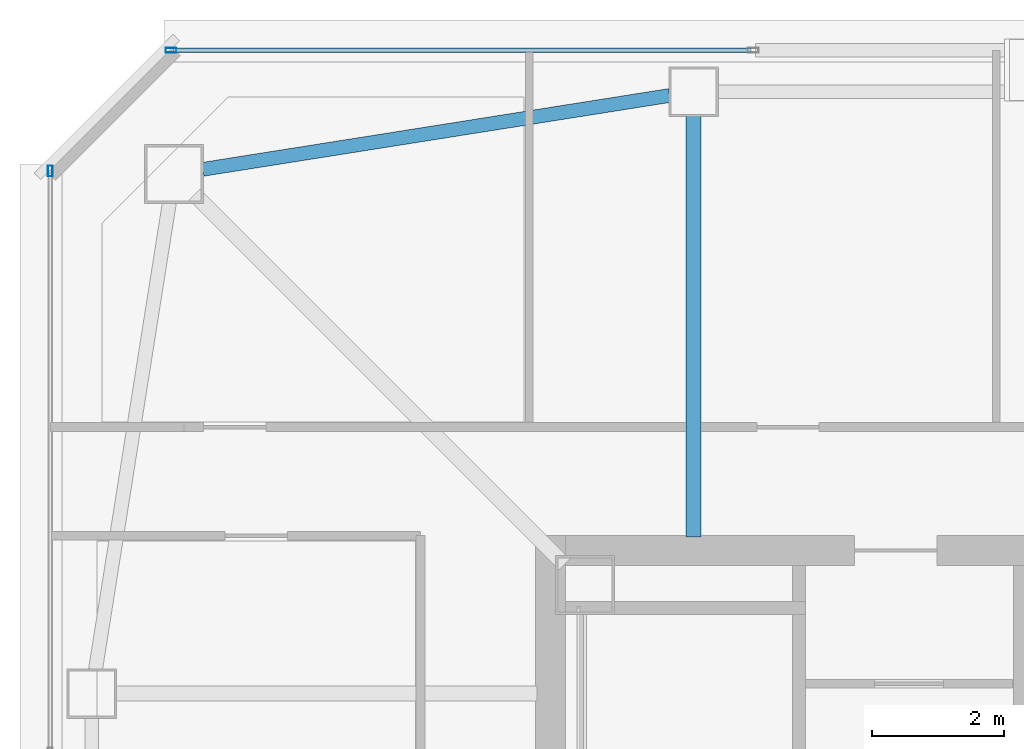
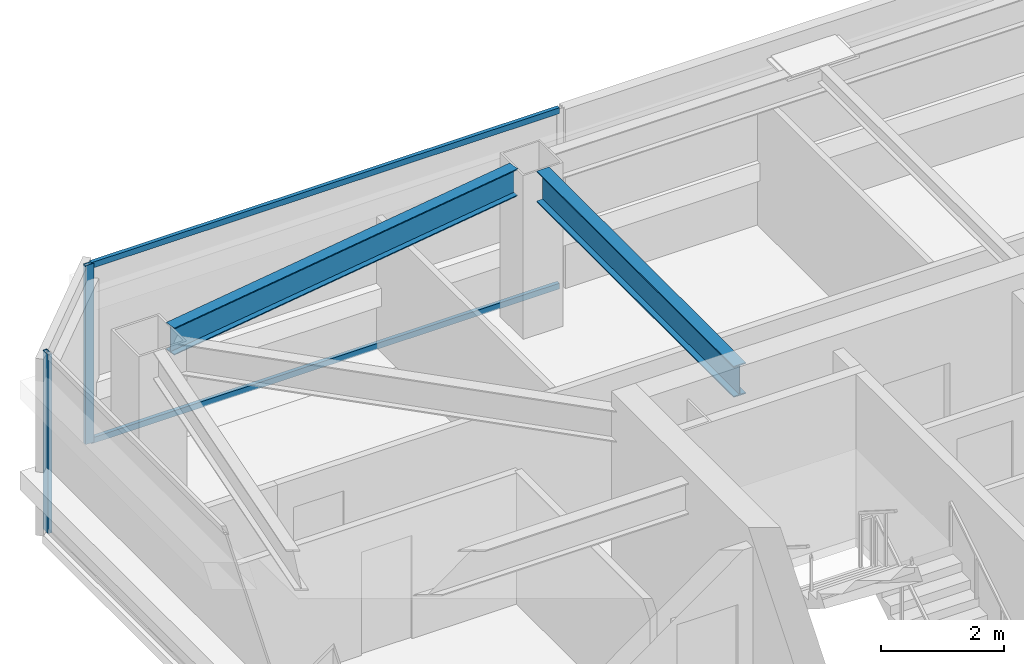
# One storey, part 10 of 18: 4 members, 2 beams, 2 elements without a shape of their own.
"""IFC4 building model written with IfcOpenShell, lengths in metres."""

from ifc_helpers import new_model, si_unit, direction, frame, origin, origin_2d, place, context, subcontext, project, spatial, hollow_rectangle, i_section, extrude, material, material_profile, profile_set, type_object, element, aggregate, save


model = new_model("IFC4")

# Units and contexts
model_context = context("Model", 3, precision=1e-05, world=origin(), true_north=direction((0.0, 1.0)))
body_context = subcontext(model_context, "Body", "Model", "MODEL_VIEW")
ifc_project = project(units=[si_unit("LENGTHUNIT", "METRE"), si_unit("AREAUNIT", "SQUARE_METRE"), si_unit("VOLUMEUNIT", "CUBIC_METRE"), si_unit("PLANEANGLEUNIT", "RADIAN"), si_unit("MASSUNIT", "GRAM", prefix="KILO")], contexts=[model_context])

# Site, building, storey
site_placement = place(None, origin())
site = spatial("IfcSite", under=ifc_project, at=site_placement, CompositionType="ELEMENT")
building_placement = place(site_placement, origin())
building = spatial("IfcBuilding", under=site, at=building_placement, Name="Tashvorn Skyway Center", CompositionType="ELEMENT")
storey_placement = place(building_placement, frame((0.0, 0.0, 274.050048828125)))
storey = spatial("IfcBuildingStorey", under=building, at=storey_placement, Name="L74", CompositionType="ELEMENT", Elevation=274.050048828125)

# Beams
ifc_material_1 = material(Name="Steel ASTM A992 Grade 50", Category="steel")
ifc_material_profile_1 = material_profile(ifc_material_1, i_section(OverallWidth=0.22998046875, OverallDepth=0.616943359375, WebThickness=0.01318359375, FlangeThickness=0.022216796875, at=origin_2d()), Name="W24X94")
ifc_profile_set_1 = profile_set([ifc_material_profile_1], Name="Steel ASTM A992 Grade 50")
beam_type_1 = type_object("IfcBeamType", Name="BM-BEAM-W24X94", PredefinedType="BEAM", material=ifc_profile_set_1)
beam_1_placement = place(storey_placement, frame((36.60009765625, 46.179931640625, 2.94140625), z_axis=(0.0, -1.0, 0.0), x_axis=(1.0, 0.0, 0.0)))
element("IfcBeam", 1, at=beam_1_placement, inside=storey, type_object=beam_type_1, Name="Tower 1 L74 Primary Floor Girder FC-N2", PredefinedType="BEAM", context=body_context, shape_type="SweptSolid", body=[
    extrude(i_section(OverallWidth=0.22998046875, OverallDepth=0.616943359375, WebThickness=0.01318359375, FlangeThickness=0.022216796875, at=origin_2d()), origin(), (0.0, 0.0, 1.0), 6.39990234375),
])
ifc_material_profile_2 = material_profile(ifc_material_1, i_section(OverallWidth=0.2109375, OverallDepth=0.5390625, WebThickness=0.01171875, FlangeThickness=0.018798828125, at=origin_2d()), Name="W21X73")
ifc_profile_set_2 = profile_set([ifc_material_profile_2], Name="Steel ASTM A992 Grade 50")
beam_type_2 = type_object("IfcBeamType", Name="BM-SPANDREL-W21X73", PredefinedType="SPANDREL", material=ifc_profile_set_2)
beam_2_placement = place(storey_placement, frame((36.234619140625, 46.4921875, 2.98046875), z_axis=(-0.987713587978, -0.156274976, 0.0), x_axis=(0.156274976, -0.987713587978, 0.0)))
element("IfcBeam", 2, at=beam_2_placement, inside=storey, type_object=beam_type_2, Name="Tower 1 L74 Spandrel Beam 09", PredefinedType="SPANDREL", context=body_context, shape_type="SweptSolid", body=[
    extrude(i_section(OverallWidth=0.2109375, OverallDepth=0.5390625, WebThickness=0.01171875, FlangeThickness=0.018798828125, at=origin_2d()), origin(), (0.0, 0.0, 1.0), 7.18310546875),
])

# Curtain wall, member
ifc_material_2 = material(Name="Thermally broken bronze-anodized aluminium 6063-T6", Category="aluminium")
curtain_wall_type = type_object("IfcCurtainWallType", Name="CW-CW-Z5", PredefinedType="NOTDEFINED", material=ifc_material_2)
curtain_wall_1_placement = place(storey_placement, origin())
curtain_wall_1 = element("IfcCurtainWall", 3, at=curtain_wall_1_placement, inside=storey, type_object=curtain_wall_type, Name="Tower 1 L74 West Unitised Curtain Wall Glazing Group 2", PredefinedType="NOTDEFINED")
ifc_material_profile_3 = material_profile(ifc_material_2, hollow_rectangle(XDim=0.070068359375, YDim=0.1650390625, WallThickness=0.00390625, at=origin_2d()), Name="ALU-MULL-70x165")
ifc_profile_set_3 = profile_set([ifc_material_profile_3], Name="Thermally broken bronze-anodized aluminium 6063-T6")
member_type_1 = type_object("IfcMemberType", Name="CWM-CW-Z5", PredefinedType="MULLION", material=ifc_profile_set_3)
member_1_placement = place(storey_placement, frame((26.820068359375, 45.344970703125, 0.0), z_axis=(0.0, 0.0, 1.0), x_axis=(-1.0, 0.0, 0.0)))
member_1 = element("IfcMember", 4, at=member_1_placement, type_object=member_type_1, Name="CW-Z5 mullion 2", PredefinedType="MULLION", context=body_context, shape_type="SweptSolid", body=[
    extrude(hollow_rectangle(XDim=0.070068359375, YDim=0.1650390625, WallThickness=0.00390625, at=origin_2d()), origin(), (0.0, 0.0, 1.0), 3.550048828125),
])
aggregate(curtain_wall_1, [member_1])

# Curtain wall, members
curtain_wall_2_placement = place(storey_placement, origin())
curtain_wall_2 = element("IfcCurtainWall", 5, at=curtain_wall_2_placement, inside=storey, type_object=curtain_wall_type, Name="Tower 1 L74 North Unitised Curtain Wall Glazing Group 1", PredefinedType="NOTDEFINED")
member_2_placement = place(storey_placement, frame((28.655029296875, 47.179931640625, 0.0), z_axis=(0.0, 0.0, 1.0), x_axis=(0.0, 1.0, 0.0)))
member_2 = element("IfcMember", 6, at=member_2_placement, type_object=member_type_1, Name="CW-Z5 mullion 1", PredefinedType="MULLION", context=body_context, shape_type="SweptSolid", body=[
    extrude(hollow_rectangle(XDim=0.070068359375, YDim=0.1650390625, WallThickness=0.00390625, at=origin_2d()), origin(), (0.0, 0.0, 1.0), 3.550048828125),
])
ifc_material_profile_4 = material_profile(ifc_material_2, hollow_rectangle(XDim=0.070068359375, YDim=0.114990234375, WallThickness=0.00390625, at=origin_2d()), Name="ALU-TRAN-70x115")
ifc_profile_set_4 = profile_set([ifc_material_profile_4], Name="Thermally broken bronze-anodized aluminium 6063-T6")
member_type_2 = type_object("IfcMemberType", Name="CWT-CW-Z5", PredefinedType="USERDEFINED", material=ifc_profile_set_4)
member_3_placement = place(storey_placement, frame((28.68994140625, 47.179931640625, 0.034912109375), z_axis=(1.0, 0.0, 0.0), x_axis=(0.0, 1.0, 0.0)))
member_3 = element("IfcMember", 7, at=member_3_placement, type_object=member_type_2, Name="CW-Z5 transom 1.1", ObjectType="TRANSOM", PredefinedType="USERDEFINED", context=body_context, shape_type="SweptSolid", body=[
    extrude(hollow_rectangle(XDim=0.070068359375, YDim=0.114990234375, WallThickness=0.00390625, at=origin_2d()), origin(), (0.0, 0.0, 1.0), 8.780029296875),
])
member_4_placement = place(storey_placement, frame((28.68994140625, 47.179931640625, 3.514892578125), z_axis=(1.0, 0.0, 0.0), x_axis=(0.0, 1.0, 0.0)))
member_4 = element("IfcMember", 8, at=member_4_placement, type_object=member_type_2, Name="CW-Z5 transom 1.2", ObjectType="TRANSOM", PredefinedType="USERDEFINED", context=body_context, shape_type="SweptSolid", body=[
    extrude(hollow_rectangle(XDim=0.070068359375, YDim=0.114990234375, WallThickness=0.00390625, at=origin_2d()), origin(), (0.0, 0.0, 1.0), 8.780029296875),
])
aggregate(curtain_wall_2, [member_2, member_3, member_4])

save(model, "model.ifc")
